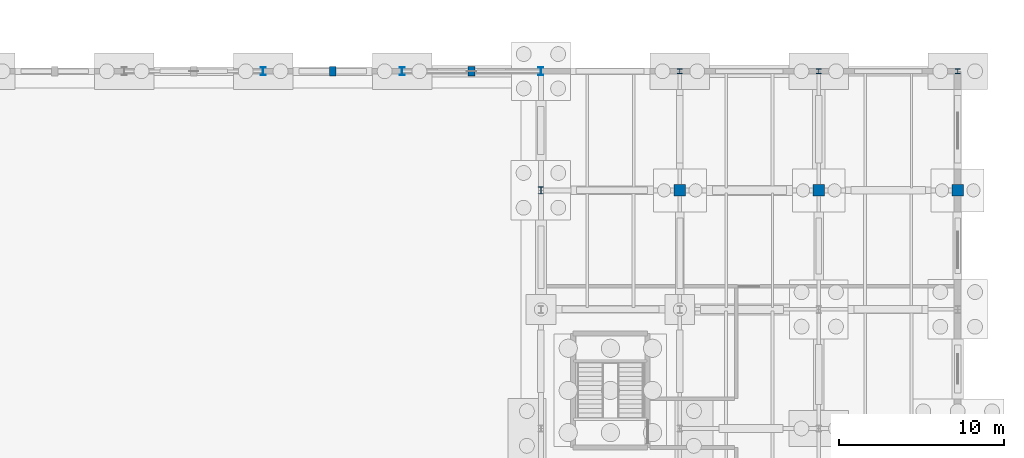
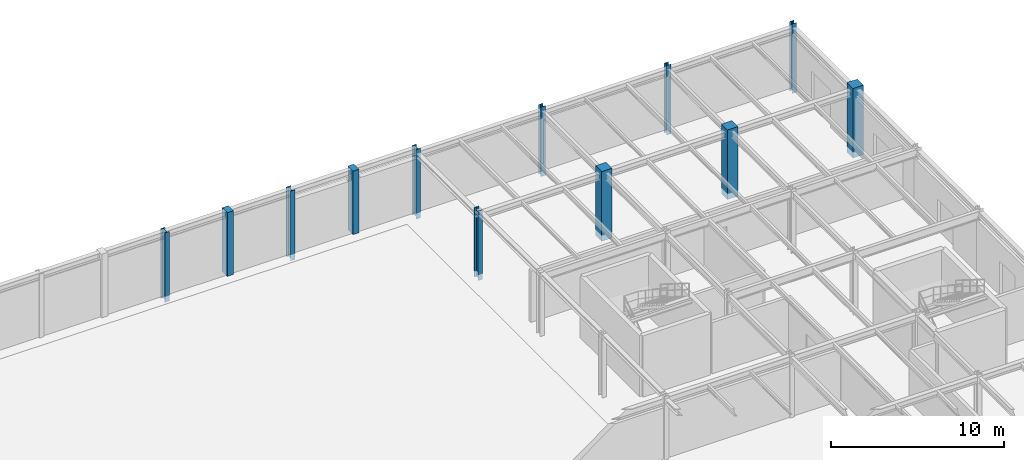
# One storey, part 32 of 93: 12 columns.
"""IFC4 building model written with IfcOpenShell, lengths in metres."""

from ifc_helpers import new_model, si_unit, derived_unit, direction, frame, origin, origin_2d, place, context, subcontext, project, spatial, rectangle, i_section, extrude, material, material_profile, profile_set, type_object, element, save


model = new_model("IFC4")

# Units and contexts
model_context = context("Model", 3, precision=1e-05, world=origin(), true_north=direction((0.0, 1.0)))
body_context = subcontext(model_context, "Body", "Model", "MODEL_VIEW")
ifc_project = project(units=[si_unit("LENGTHUNIT", "METRE"), si_unit("AREAUNIT", "SQUARE_METRE"), si_unit("VOLUMEUNIT", "CUBIC_METRE"), si_unit("PLANEANGLEUNIT", "RADIAN"), si_unit("MASSUNIT", "GRAM", prefix="KILO"), derived_unit("THERMALTRANSMITTANCEUNIT", [(si_unit("MASSUNIT", "GRAM", prefix="KILO"), 1), (si_unit("TIMEUNIT", "SECOND"), -3), (si_unit("THERMODYNAMICTEMPERATUREUNIT", "KELVIN"), -1)])], contexts=[model_context])

# Site, building, storey
site_placement = place(None, origin())
site = spatial("IfcSite", under=ifc_project, at=site_placement, CompositionType="ELEMENT")
building_placement = place(site_placement, origin())
building = spatial("IfcBuilding", under=site, at=building_placement, Name="Kharveza Railside Sports Centre", CompositionType="ELEMENT")
storey_placement = place(building_placement, origin())
storey = spatial("IfcBuildingStorey", under=building, at=storey_placement, Name="L00", CompositionType="ELEMENT", Elevation=0.0)

# Columns
ifc_material_1 = material(Name="Concrete C35/45", Category="concrete")
ifc_material_profile_1 = material_profile(ifc_material_1, rectangle(XDim=0.699951171875, YDim=0.699951171875, at=origin_2d()), Name="RC 700x700")
ifc_profile_set_1 = profile_set([ifc_material_profile_1], Name="Concrete C35/45")
column_type_1 = type_object("IfcColumnType", Name="COL-RC01", PredefinedType="COLUMN", material=ifc_profile_set_1)
for number, where, z_axis, x_axis, name in (
    (1, (151.199951171875, 100.800048828125, -0.419921875), (0.0, 0.0, 1.0), (1.0, 0.0, 0.0), "COL-G-C19-X1512-Y1008-L00"),
    (2, (159.60009765625, 100.800048828125, -0.419921875), (0.0, 0.0, 1.0), (1.0, 0.0, 0.0), "COL-G-C19-X1596-Y1008-L00"),
    (3, (168.0, 100.800048828125, -0.419921875), (0.0, 0.0, 1.0), (1.0, 0.0, 0.0), "COL-G-C19-X1680-Y1008-L00"),
):
    element("IfcColumn", number, at=place(storey_placement, frame(where, z_axis=z_axis, x_axis=x_axis)), inside=storey, type_object=column_type_1, Name=name, PredefinedType="COLUMN", context=body_context, shape_type="SweptSolid", body=[
        extrude(rectangle(XDim=0.699951171875, YDim=0.699951171875, at=origin_2d()), origin(), (0.0, 0.0, 1.0), 4.919921875),
    ])
ifc_material_profile_2 = material_profile(ifc_material_1, rectangle(XDim=0.39990234375, YDim=0.60009765625, at=origin_2d()), Name="RC 400x600")
ifc_profile_set_2 = profile_set([ifc_material_profile_2], Name="Concrete C35/45")
column_type_2 = type_object("IfcColumnType", Name="COL-RC05", PredefinedType="PILASTER", material=ifc_profile_set_2)
for number, where, z_axis, x_axis, name in (
    (4, (130.199951171875, 108.0, 0.0), (0.0, 0.0, 1.0), (1.0, 0.0, 0.0), "COL-PIL-TRK-05"),
    (5, (138.60009765625, 108.0, 0.0), (0.0, 0.0, 1.0), (1.0, 0.0, 0.0), "COL-PIL-TRK-06"),
):
    element("IfcColumn", number, at=place(storey_placement, frame(where, z_axis=z_axis, x_axis=x_axis)), inside=storey, type_object=column_type_2, Name=name, PredefinedType="PILASTER", context=body_context, shape_type="SweptSolid", body=[
        extrude(rectangle(XDim=0.39990234375, YDim=0.60009765625, at=origin_2d()), origin(), (0.0, 0.0, 1.0), 4.5),
    ])
ifc_material_2 = material(Name="Steel S355J2", Category="steel")
ifc_material_profile_3 = material_profile(ifc_material_2, i_section(OverallWidth=0.300048828125, OverallDepth=0.5, WebThickness=0.014404296875, FlangeThickness=0.028076171875, FilletRadius=0.027099609375, at=origin_2d()), Name="HEB 500")
ifc_profile_set_3 = profile_set([ifc_material_profile_3], Name="Steel S355J2")
column_type_3 = type_object("IfcColumnType", Name="COL-S03", PredefinedType="COLUMN", material=ifc_profile_set_3)
for number, where, z_axis, x_axis, name in (
    (6, (126.0, 108.0, -0.419921875), (0.0, 0.0, 1.0), (1.0, 0.0, 0.0), "COL-G-C03-X1260-Y1080-L00"),
    (7, (134.39990234375, 108.0, -0.419921875), (0.0, 0.0, 1.0), (1.0, 0.0, 0.0), "COL-G-C03-X1344-Y1080-L00"),
    (8, (142.800048828125, 108.0, -0.419921875), (0.0, 0.0, 1.0), (1.0, 0.0, 0.0), "COL-G-C03-X1428-Y1080-L00"),
):
    element("IfcColumn", number, at=place(storey_placement, frame(where, z_axis=z_axis, x_axis=x_axis)), inside=storey, type_object=column_type_3, Name=name, PredefinedType="COLUMN", context=body_context, shape_type="SweptSolid", body=[
        extrude(i_section(OverallWidth=0.300048828125, OverallDepth=0.5, WebThickness=0.014404296875, FlangeThickness=0.028076171875, FilletRadius=0.027099609375, at=origin_2d()), origin(), (0.0, 0.0, 1.0), 4.919921875),
    ])
ifc_material_profile_4 = material_profile(ifc_material_2, i_section(OverallWidth=0.300048828125, OverallDepth=0.300048828125, WebThickness=0.010986328125, FlangeThickness=0.01904296875, FilletRadius=0.027099609375, at=origin_2d()), Name="HEB 300")
ifc_profile_set_4 = profile_set([ifc_material_profile_4], Name="Steel S355J2")
column_type_4 = type_object("IfcColumnType", Name="COL-S07", PredefinedType="COLUMN", material=ifc_profile_set_4)
for number, where, z_axis, x_axis, name in (
    (9, (151.199951171875, 108.0, -0.419921875), (0.0, 0.0, 1.0), (1.0, 0.0, 0.0), "COL-G-C07-X1512-Y1080-L00"),
    (10, (159.60009765625, 108.0, -0.419921875), (0.0, 0.0, 1.0), (1.0, 0.0, 0.0), "COL-G-C07-X1596-Y1080-L00"),
    (11, (168.0, 108.0, -0.419921875), (0.0, 0.0, 1.0), (1.0, 0.0, 0.0), "COL-G-C07-X1680-Y1080-L00"),
):
    element("IfcColumn", number, at=place(storey_placement, frame(where, z_axis=z_axis, x_axis=x_axis)), inside=storey, type_object=column_type_4, Name=name, PredefinedType="COLUMN", context=body_context, shape_type="SweptSolid", body=[
        extrude(i_section(OverallWidth=0.300048828125, OverallDepth=0.300048828125, WebThickness=0.010986328125, FlangeThickness=0.01904296875, FilletRadius=0.027099609375, at=origin_2d()), origin(), (0.0, 0.0, 1.0), 4.919921875),
    ])
ifc_material_profile_5 = material_profile(ifc_material_2, i_section(OverallWidth=0.300048828125, OverallDepth=0.43994140625, WebThickness=0.011474609375, FlangeThickness=0.02099609375, FilletRadius=0.027099609375, at=origin_2d()), Name="HEA 450")
ifc_profile_set_5 = profile_set([ifc_material_profile_5], Name="Steel S355J2")
column_type_5 = type_object("IfcColumnType", Name="COL-S09", PredefinedType="COLUMN", material=ifc_profile_set_5)
column_placement = place(storey_placement, frame((142.800048828125, 100.800048828125, -0.419921875), z_axis=(0.0, 0.0, 1.0), x_axis=(1.0, 0.0, 0.0)))
element("IfcColumn", 12, at=column_placement, inside=storey, type_object=column_type_5, Name="COL-G-C09-X1428-Y1008-L00", PredefinedType="COLUMN", context=body_context, shape_type="SweptSolid", body=[
    extrude(i_section(OverallWidth=0.300048828125, OverallDepth=0.43994140625, WebThickness=0.011474609375, FlangeThickness=0.02099609375, FilletRadius=0.027099609375, at=origin_2d()), origin(), (0.0, 0.0, 1.0), 4.919921875),
])

save(model, "model.ifc")
